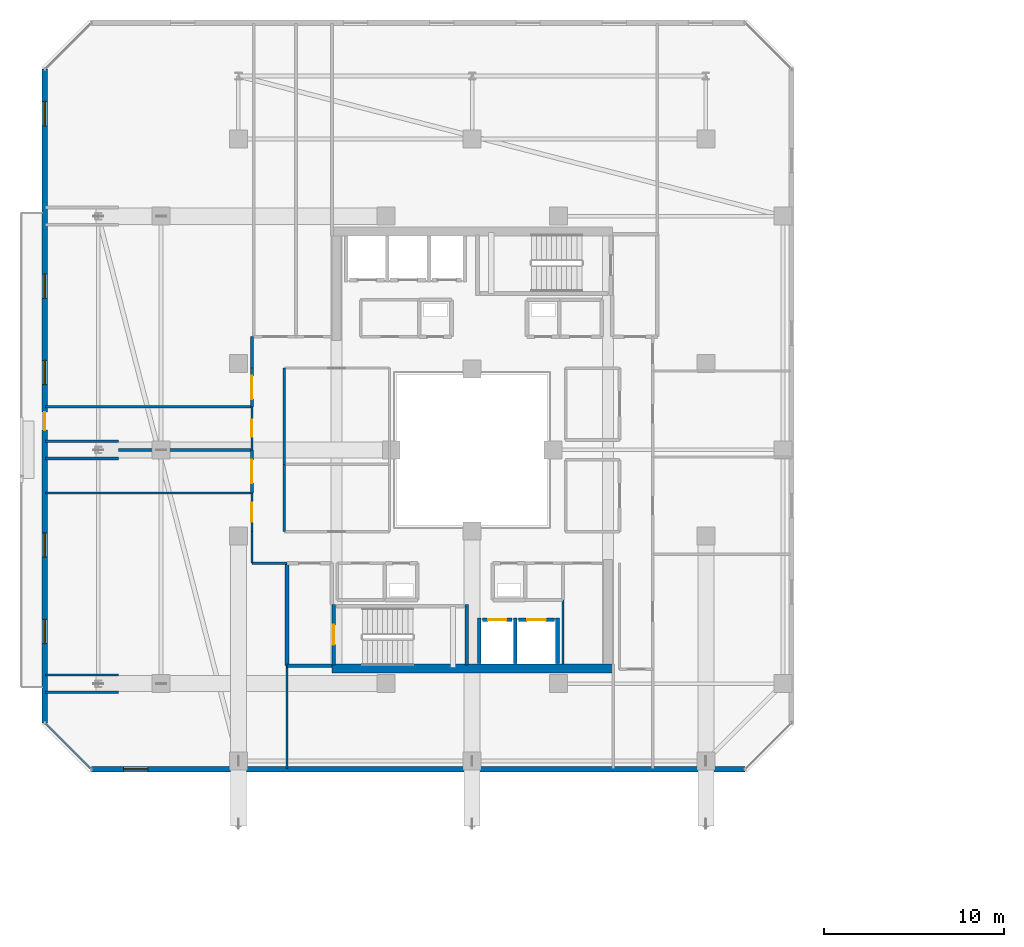
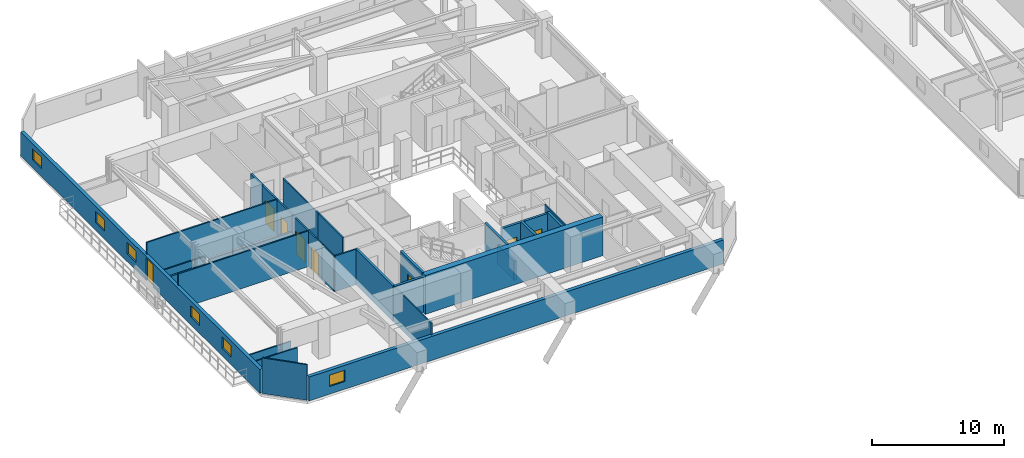
# One storey, part 21 of 35: 31 walls, 8 doors, 6 windows, 14 openings.
"""IFC4 building model written with IfcOpenShell, lengths in metres."""

from ifc_helpers import new_model, si_unit, direction, frame, frame_2d, origin, place, context, subcontext, project, spatial, rectangle, extrude, material, layer, layer_set, type_object, element, fill, save


model = new_model("IFC4")

# Units and contexts
model_context = context("Model", 3, precision=1e-05, world=origin(), true_north=direction((0.0, 1.0)))
body_context = subcontext(model_context, "Body", "Model", "MODEL_VIEW")
ifc_project = project(units=[si_unit("LENGTHUNIT", "METRE"), si_unit("AREAUNIT", "SQUARE_METRE"), si_unit("VOLUMEUNIT", "CUBIC_METRE"), si_unit("PLANEANGLEUNIT", "RADIAN"), si_unit("MASSUNIT", "GRAM", prefix="KILO")], contexts=[model_context])

# Site, building, storey
site_placement = place(None, origin())
site = spatial("IfcSite", under=ifc_project, at=site_placement, CompositionType="ELEMENT")
building_placement = place(site_placement, origin())
building = spatial("IfcBuilding", under=site, at=building_placement, Name="Thornwick Lancets Civic Towers", CompositionType="ELEMENT")
storey_placement = place(building_placement, frame((0.0, 0.0, 225.89990234375)))
storey = spatial("IfcBuildingStorey", under=building, at=storey_placement, Name="L60", CompositionType="ELEMENT", Elevation=225.89990234375)

# Wall, opening, door
ifc_material_1 = material(Name="Concrete blockwork C40/50", Category="masonry")
ifc_layer_1 = layer(ifc_material_1, 0.199951171875, Name="Concrete blockwork C40/50")
ifc_layer_set_1 = layer_set([ifc_layer_1], Name="Concrete blockwork C40/50")
wall_type_1 = type_object("IfcWallType", Name="WALL_COMP_200", PredefinedType="STANDARD", material=ifc_layer_set_1)
wall_1_placement = place(storey_placement, frame((26.080078125, 17.550048828125, 0.0), z_axis=(0.0, 0.0, 1.0), x_axis=(1.0, 0.0, 0.0)))
wall_1 = element("IfcWall", 1, at=wall_1_placement, inside=storey, type_object=wall_type_1, Name="L60 Hoistway Front Wall FL-A1", PredefinedType="STANDARD", context=body_context, shape_type="SweptSolid", body=[
    extrude(rectangle(XDim=1.639892578125, YDim=0.199951171875, at=frame_2d((0.81982421875, 0.0))), origin(), (0.0, 0.0, 1.0), 3.300048828125),
])
opening_1_placement = place(wall_1_placement, frame((0.31005859375, 0.0, 0.0)))
opening_1 = element("IfcOpeningElement", 2, at=opening_1_placement, cuts=wall_1, Name="Opening LD-FL-A1", PredefinedType="OPENING", context=body_context, shape_type="SweptSolid", body=[
    extrude(rectangle(XDim=1.02001953125, YDim=2.06005859375, at=frame_2d((0.510009765625, 1.030029296875))), frame((0.0, 0.10986328125, 0.0), z_axis=(0.0, -1.0, 0.0), x_axis=(1.0, 0.0, 0.0)), (0.0, 0.0, 1.0), 0.219970703125),
])
ifc_material_2 = material(Name="Brushed bronze stainless steel", Category="steel")
door_type_1 = type_object("IfcDoorType", Name="DOOR_LIFT_SLIDE", OperationType="SLIDING_TO_LEFT", PredefinedType="DOOR", material=ifc_material_2)
door_1_placement = place(opening_1_placement, origin())
door_1 = element("IfcDoor", 3, at=door_1_placement, inside=storey, type_object=door_type_1, Name="L60 Sliding Lift Landing Door LD-FL-A1", OperationType="SLIDING_TO_LEFT", OverallHeight=2.06005859375, OverallWidth=1.02001953125, PredefinedType="DOOR", context=body_context, shape_type="SweptSolid", body=[
    extrude(rectangle(XDim=1.02001953125, YDim=2.06005859375, at=frame_2d((0.510009765625, 1.030029296875))), frame((0.0, 0.02490234375, 0.0), z_axis=(0.0, -1.0, 0.0), x_axis=(1.0, 0.0, 0.0)), (0.0, 0.0, 1.0), 0.050048828125),
])
fill(opening_1, door_1)

wall_2_placement = place(storey_placement, frame((28.080078125, 17.550048828125, 0.0), z_axis=(0.0, 0.0, 1.0), x_axis=(1.0, 0.0, 0.0)))
wall_2 = element("IfcWall", 4, at=wall_2_placement, inside=storey, type_object=wall_type_1, Name="L60 Hoistway Front Wall PL-AH1", PredefinedType="STANDARD", context=body_context, shape_type="SweptSolid", body=[
    extrude(rectangle(XDim=1.989990234375, YDim=0.199951171875, at=frame_2d((0.9951171875, 0.0))), origin(), (0.0, 0.0, 1.0), 3.300048828125),
])
opening_2_placement = place(wall_2_placement, frame((0.485107421875, 0.0, 0.0)))
opening_2 = element("IfcOpeningElement", 5, at=opening_2_placement, cuts=wall_2, Name="Opening LD-PL-AH1", PredefinedType="OPENING", context=body_context, shape_type="SweptSolid", body=[
    extrude(rectangle(XDim=1.02001953125, YDim=2.06005859375, at=frame_2d((0.510009765625, 1.030029296875))), frame((0.0, 0.10986328125, 0.0), z_axis=(0.0, -1.0, 0.0), x_axis=(1.0, 0.0, 0.0)), (0.0, 0.0, 1.0), 0.219970703125),
])
door_2_placement = place(opening_2_placement, origin())
door_2 = element("IfcDoor", 6, at=door_2_placement, inside=storey, type_object=door_type_1, Name="L60 Sliding Lift Landing Door LD-PL-AH1", OperationType="SLIDING_TO_LEFT", OverallHeight=2.06005859375, OverallWidth=1.02001953125, PredefinedType="DOOR", context=body_context, shape_type="SweptSolid", body=[
    extrude(rectangle(XDim=1.02001953125, YDim=2.06005859375, at=frame_2d((0.510009765625, 1.030029296875))), frame((0.0, 0.02490234375, 0.0), z_axis=(0.0, -1.0, 0.0), x_axis=(1.0, 0.0, 0.0)), (0.0, 0.0, 1.0), 0.050048828125),
])
fill(opening_2, door_2)

# Walls
wall_3_placement = place(storey_placement, frame((27.89990234375, 15.112060546875, 0.0), z_axis=(0.0, 0.0, 1.0), x_axis=(0.0, 1.0, 0.0)))
element("IfcWall", 7, at=wall_3_placement, inside=storey, type_object=wall_type_1, Name="L60 Hoistway Shaft Wall FL-A1 E", PredefinedType="STANDARD", context=body_context, shape_type="SweptSolid", body=[
    extrude(rectangle(XDim=2.535888671875, YDim=0.199951171875, at=frame_2d((1.26806640625, 0.0))), origin(), (0.0, 0.0, 1.0), 3.300048828125),
])
wall_4_placement = place(storey_placement, frame((25.89990234375, 15.112060546875, 0.0), z_axis=(0.0, 0.0, 1.0), x_axis=(0.0, 1.0, 0.0)))
element("IfcWall", 8, at=wall_4_placement, inside=storey, type_object=wall_type_1, Name="L60 Hoistway Shaft Wall FL-A1 W", PredefinedType="STANDARD", context=body_context, shape_type="SweptSolid", body=[
    extrude(rectangle(XDim=2.535888671875, YDim=0.199951171875, at=frame_2d((1.26806640625, 0.0))), origin(), (0.0, 0.0, 1.0), 1.78515625),
])
wall_5_placement = place(storey_placement, frame((30.25, 15.112060546875, 0.0), z_axis=(0.0, 0.0, 1.0), x_axis=(0.0, 1.0, 0.0)))
element("IfcWall", 9, at=wall_5_placement, inside=storey, type_object=wall_type_1, Name="L60 Hoistway Shaft Wall PL-AH1 E", PredefinedType="STANDARD", context=body_context, shape_type="SweptSolid", body=[
    extrude(rectangle(XDim=2.535888671875, YDim=0.199951171875, at=frame_2d((1.26806640625, 0.0))), origin(), (0.0, 0.0, 1.0), 3.300048828125),
])
wall_6_placement = place(storey_placement, frame((15.199951171875, 15.0, 0.0), z_axis=(0.0, 0.0, 1.0), x_axis=(1.0, 0.0, 0.0)))
element("IfcWall", 10, at=wall_6_placement, inside=storey, type_object=wall_type_1, Name="L60 Partition L60-A-FFLOB1 E1", PredefinedType="STANDARD", context=body_context, shape_type="SweptSolid", body=[
    extrude(rectangle(XDim=2.5, YDim=0.199951171875, at=frame_2d((1.25, 0.0))), origin(), (0.0, 0.0, 1.0), 3.300048828125),
])
wall_7_placement = place(storey_placement, frame((15.199951171875, 20.699951171875, 0.0), z_axis=(0.0, 0.0, 1.0), x_axis=(0.0, -1.0, 0.0)))
element("IfcWall", 11, at=wall_7_placement, inside=storey, type_object=wall_type_1, Name="L60 Partition L60-A-FFLOB1 E4", PredefinedType="STANDARD", context=body_context, shape_type="SweptSolid", body=[
    extrude(rectangle(XDim=5.699951171875, YDim=0.199951171875, at=frame_2d((2.85009765625, 0.0))), origin(), (0.0, 0.0, 1.0), 3.300048828125),
])
ifc_material_3 = material(Name="Concrete C50/60", Category="concrete")
ifc_layer_2 = layer(ifc_material_3, 0.5, Name="Concrete C50/60")
ifc_layer_set_2 = layer_set([ifc_layer_2], Name="Concrete C50/60")
wall_type_2 = type_object("IfcWallType", Name="WALL_CORE_500", PredefinedType="SHEAR", material=ifc_layer_set_2)
wall_8_placement = place(storey_placement, frame((17.699951171875, 14.85009765625, 0.0), z_axis=(0.0, 0.0, 1.0), x_axis=(1.0, 0.0, 0.0)))
element("IfcWall", 12, at=wall_8_placement, inside=storey, type_object=wall_type_2, Name="L60 Split Core A1 Shear Wall S", PredefinedType="SHEAR", context=body_context, shape_type="SweptSolid", body=[
    extrude(rectangle(XDim=15.60009765625, YDim=0.5, at=frame_2d((7.800048828125, 0.0))), origin(), (0.0, 0.0, 1.0), 3.60009765625),
])

# Wall, opening, window
ifc_material_4 = material(Name="Insulated russet terracotta rainscreen on concrete C40/50", Category="masonry")
ifc_layer_3 = layer(ifc_material_4, 0.300048828125, Name="Insulated russet terracotta rainscreen on concrete C40/50")
ifc_layer_set_3 = layer_set([ifc_layer_3], Name="Insulated russet terracotta rainscreen on concrete C40/50")
wall_type_3 = type_object("IfcWallType", Name="WALL_EXT_RUSSET_300", PredefinedType="STANDARD", material=ifc_layer_set_3)
wall_9_placement = place(storey_placement, frame((4.318603515625, 9.2353515625, 0.0), z_axis=(0.0, 0.0, 1.0), x_axis=(1.0, 0.0, 0.0)))
wall_9 = element("IfcWall", 13, at=wall_9_placement, inside=storey, type_object=wall_type_3, Name="L60 Tower A Terracotta Facade Wall E0", PredefinedType="STANDARD", context=body_context, shape_type="SweptSolid", body=[
    extrude(rectangle(XDim=36.36279296875, YDim=0.300048828125, at=frame_2d((18.181396484375, 0.0))), origin(), (0.0, 0.0, 1.0), 2.22021484375),
])
opening_3_placement = place(wall_9_placement, frame((1.800048828125, 0.0, 0.719970703125)))
opening_3 = element("IfcOpeningElement", 14, at=opening_3_placement, cuts=wall_9, Name="Opening WL-03", PredefinedType="OPENING", context=body_context, shape_type="SweptSolid", body=[
    extrude(rectangle(XDim=1.35009765625, YDim=1.050048828125, at=frame_2d((0.675048828125, 0.52490234375))), frame((0.0, 0.16015625, 0.0), z_axis=(0.0, -1.0, 0.0), x_axis=(1.0, 0.0, 0.0)), (0.0, 0.0, 1.0), 0.320068359375),
])
ifc_material_5 = material(Name="Clear low-e double glazing clerestory lancet", Category="glass")
window_type = type_object("IfcWindowType", Name="WIN_LANCET_1350", PartitioningType="SINGLE_PANEL", PredefinedType="WINDOW", material=ifc_material_5)
window_1_placement = place(opening_3_placement, origin())
window_1 = element("IfcWindow", 15, at=window_1_placement, inside=storey, type_object=window_type, Name="L60 Tower A Staggered Lancet Window E0-1", OverallHeight=1.050048828125, OverallWidth=1.35009765625, PartitioningType="SINGLE_PANEL", PredefinedType="WINDOW", context=body_context, shape_type="SweptSolid", body=[
    extrude(rectangle(XDim=1.35009765625, YDim=1.050048828125, at=frame_2d((0.675048828125, 0.52490234375))), frame((0.0, 0.030029296875, 0.0), z_axis=(0.0, -1.0, 0.0), x_axis=(1.0, 0.0, 0.0)), (0.0, 0.0, 1.0), 0.06005859375),
])
fill(opening_3, window_1)

# Wall, openings, door, windows
wall_10_placement = place(storey_placement, frame((1.7353515625, 48.181396484375, 0.0), z_axis=(0.0, 0.0, 1.0), x_axis=(0.0, -1.0, 0.0)))
wall_10 = element("IfcWall", 16, at=wall_10_placement, inside=storey, type_object=wall_type_3, Name="L60 Tower A Terracotta Facade Wall E6", PredefinedType="STANDARD", context=body_context, shape_type="SweptSolid", body=[
    extrude(rectangle(XDim=36.36279296875, YDim=0.300048828125, at=frame_2d((18.181396484375, 0.0))), origin(), (0.0, 0.0, 1.0), 2.22021484375),
])
opening_4_placement = place(wall_10_placement, frame((19.081298828125, 0.0, 0.0)))
opening_4 = element("IfcOpeningElement", 17, at=opening_4_placement, cuts=wall_10, Name="Opening D-BL-L60-AW", PredefinedType="OPENING", context=body_context, shape_type="SweptSolid", body=[
    extrude(rectangle(XDim=1.0, YDim=2.080078125, at=frame_2d((0.5, 1.0400390625))), frame((0.0, 0.16015625, 0.0), z_axis=(0.0, -1.0, 0.0), x_axis=(1.0, 0.0, 0.0)), (0.0, 0.0, 1.0), 0.320068359375),
])
opening_5_placement = place(wall_10_placement, frame((1.800048828125, 0.0, 0.719970703125)))
opening_5 = element("IfcOpeningElement", 18, at=opening_5_placement, cuts=wall_10, Name="Opening WL-03", PredefinedType="OPENING", context=body_context, shape_type="SweptSolid", body=[
    extrude(rectangle(XDim=1.35009765625, YDim=1.050048828125, at=frame_2d((0.675048828125, 0.52490234375))), frame((0.0, 0.16015625, 0.0), z_axis=(0.0, -1.0, 0.0), x_axis=(1.0, 0.0, 0.0)), (0.0, 0.0, 1.0), 0.320068359375),
])
opening_6_placement = place(wall_10_placement, frame((11.39990234375, 0.0, 0.719970703125)))
opening_6 = element("IfcOpeningElement", 19, at=opening_6_placement, cuts=wall_10, Name="Opening WL-03", PredefinedType="OPENING", context=body_context, shape_type="SweptSolid", body=[
    extrude(rectangle(XDim=1.35009765625, YDim=1.050048828125, at=frame_2d((0.675048828125, 0.52490234375))), frame((0.0, 0.16015625, 0.0), z_axis=(0.0, -1.0, 0.0), x_axis=(1.0, 0.0, 0.0)), (0.0, 0.0, 1.0), 0.320068359375),
])
opening_7_placement = place(wall_10_placement, frame((16.199951171875, 0.0, 0.719970703125)))
opening_7 = element("IfcOpeningElement", 20, at=opening_7_placement, cuts=wall_10, Name="Opening WL-03", PredefinedType="OPENING", context=body_context, shape_type="SweptSolid", body=[
    extrude(rectangle(XDim=1.35009765625, YDim=1.050048828125, at=frame_2d((0.675048828125, 0.52490234375))), frame((0.0, 0.16015625, 0.0), z_axis=(0.0, -1.0, 0.0), x_axis=(1.0, 0.0, 0.0)), (0.0, 0.0, 1.0), 0.320068359375),
])
opening_8_placement = place(wall_10_placement, frame((25.800048828125, 0.0, 0.719970703125)))
opening_8 = element("IfcOpeningElement", 21, at=opening_8_placement, cuts=wall_10, Name="Opening WL-03", PredefinedType="OPENING", context=body_context, shape_type="SweptSolid", body=[
    extrude(rectangle(XDim=1.35009765625, YDim=1.050048828125, at=frame_2d((0.675048828125, 0.52490234375))), frame((0.0, 0.16015625, 0.0), z_axis=(0.0, -1.0, 0.0), x_axis=(1.0, 0.0, 0.0)), (0.0, 0.0, 1.0), 0.320068359375),
])
opening_9_placement = place(wall_10_placement, frame((30.60009765625, 0.0, 0.719970703125)))
opening_9 = element("IfcOpeningElement", 22, at=opening_9_placement, cuts=wall_10, Name="Opening WL-03", PredefinedType="OPENING", context=body_context, shape_type="SweptSolid", body=[
    extrude(rectangle(XDim=1.35009765625, YDim=1.050048828125, at=frame_2d((0.675048828125, 0.52490234375))), frame((0.0, 0.16015625, 0.0), z_axis=(0.0, -1.0, 0.0), x_axis=(1.0, 0.0, 0.0)), (0.0, 0.0, 1.0), 0.320068359375),
])
ifc_material_6 = material(Name="Thermally broken glazed loggia doorset")
door_type_2 = type_object("IfcDoorType", Name="DOOR_BALC_1000", OperationType="NOTDEFINED", PredefinedType="DOOR", material=ifc_material_6)
door_3_placement = place(opening_4_placement, origin())
door_3 = element("IfcDoor", 23, at=door_3_placement, inside=storey, type_object=door_type_2, Name="L60 Tower A Loggia Balcony Door W", OperationType="SINGLE_SWING_LEFT", OverallHeight=2.080078125, OverallWidth=1.0, PredefinedType="DOOR", context=body_context, shape_type="SweptSolid", body=[
    extrude(rectangle(XDim=1.0, YDim=2.080078125, at=frame_2d((0.5, 1.0400390625))), frame((0.0, 0.02490234375, 0.0), z_axis=(0.0, -1.0, 0.0), x_axis=(1.0, 0.0, 0.0)), (0.0, 0.0, 1.0), 0.050048828125),
])
fill(opening_4, door_3)
window_2_placement = place(opening_5_placement, origin())
window_2 = element("IfcWindow", 24, at=window_2_placement, inside=storey, type_object=window_type, Name="L60 Tower A Staggered Lancet Window E6-1", OverallHeight=1.050048828125, OverallWidth=1.35009765625, PartitioningType="SINGLE_PANEL", PredefinedType="WINDOW", context=body_context, shape_type="SweptSolid", body=[
    extrude(rectangle(XDim=1.35009765625, YDim=1.050048828125, at=frame_2d((0.675048828125, 0.52490234375))), frame((0.0, 0.030029296875, 0.0), z_axis=(0.0, -1.0, 0.0), x_axis=(1.0, 0.0, 0.0)), (0.0, 0.0, 1.0), 0.06005859375),
])
fill(opening_5, window_2)
window_3_placement = place(opening_6_placement, origin())
window_3 = element("IfcWindow", 25, at=window_3_placement, inside=storey, type_object=window_type, Name="L60 Tower A Staggered Lancet Window E6-2", OverallHeight=1.050048828125, OverallWidth=1.35009765625, PartitioningType="SINGLE_PANEL", PredefinedType="WINDOW", context=body_context, shape_type="SweptSolid", body=[
    extrude(rectangle(XDim=1.35009765625, YDim=1.050048828125, at=frame_2d((0.675048828125, 0.52490234375))), frame((0.0, 0.030029296875, 0.0), z_axis=(0.0, -1.0, 0.0), x_axis=(1.0, 0.0, 0.0)), (0.0, 0.0, 1.0), 0.06005859375),
])
fill(opening_6, window_3)
window_4_placement = place(opening_7_placement, origin())
window_4 = element("IfcWindow", 26, at=window_4_placement, inside=storey, type_object=window_type, Name="L60 Tower A Staggered Lancet Window E6-3", OverallHeight=1.050048828125, OverallWidth=1.35009765625, PartitioningType="SINGLE_PANEL", PredefinedType="WINDOW", context=body_context, shape_type="SweptSolid", body=[
    extrude(rectangle(XDim=1.35009765625, YDim=1.050048828125, at=frame_2d((0.675048828125, 0.52490234375))), frame((0.0, 0.030029296875, 0.0), z_axis=(0.0, -1.0, 0.0), x_axis=(1.0, 0.0, 0.0)), (0.0, 0.0, 1.0), 0.06005859375),
])
fill(opening_7, window_4)
window_5_placement = place(opening_8_placement, origin())
window_5 = element("IfcWindow", 27, at=window_5_placement, inside=storey, type_object=window_type, Name="L60 Tower A Staggered Lancet Window E6-4", OverallHeight=1.050048828125, OverallWidth=1.35009765625, PartitioningType="SINGLE_PANEL", PredefinedType="WINDOW", context=body_context, shape_type="SweptSolid", body=[
    extrude(rectangle(XDim=1.35009765625, YDim=1.050048828125, at=frame_2d((0.675048828125, 0.52490234375))), frame((0.0, 0.030029296875, 0.0), z_axis=(0.0, -1.0, 0.0), x_axis=(1.0, 0.0, 0.0)), (0.0, 0.0, 1.0), 0.06005859375),
])
fill(opening_8, window_5)
window_6_placement = place(opening_9_placement, origin())
window_6 = element("IfcWindow", 28, at=window_6_placement, inside=storey, type_object=window_type, Name="L60 Tower A Staggered Lancet Window E6-5", OverallHeight=1.050048828125, OverallWidth=1.35009765625, PartitioningType="SINGLE_PANEL", PredefinedType="WINDOW", context=body_context, shape_type="SweptSolid", body=[
    extrude(rectangle(XDim=1.35009765625, YDim=1.050048828125, at=frame_2d((0.675048828125, 0.52490234375))), frame((0.0, 0.030029296875, 0.0), z_axis=(0.0, -1.0, 0.0), x_axis=(1.0, 0.0, 0.0)), (0.0, 0.0, 1.0), 0.06005859375),
])
fill(opening_9, window_6)

# Walls
ifc_material_7 = material(Name="Lightweight cellular office partition")
ifc_layer_4 = layer(ifc_material_7, 0.10009765625, Name="Lightweight cellular office partition")
ifc_layer_set_4 = layer_set([ifc_layer_4], Name="Lightweight cellular office partition")
wall_type_4 = type_object("IfcWallType", Name="WALL_PART_100", PredefinedType="PARTITIONING", material=ifc_layer_set_4)
wall_11_placement = place(storey_placement, frame((30.550048828125, 15.10009765625, 0.0), z_axis=(0.0, 0.0, 1.0), x_axis=(0.0, 1.0, 0.0)))
element("IfcWall", 29, at=wall_11_placement, inside=storey, type_object=wall_type_4, Name="L60 Partition L60-A-CLN E3", PredefinedType="PARTITIONING", context=body_context, shape_type="SweptSolid", body=[
    extrude(rectangle(XDim=3.5498046875, YDim=0.10009765625, at=frame_2d((1.77490234375, 0.0))), origin(), (0.0, 0.0, 1.0), 3.300048828125),
])
ifc_material_8 = material(Name="Acoustic gypsum board partition")
ifc_layer_5 = layer(ifc_material_8, 0.1201171875, Name="Acoustic gypsum board partition")
ifc_layer_set_5 = layer_set([ifc_layer_5], Name="Acoustic gypsum board partition")
wall_type_5 = type_object("IfcWallType", Name="WALL_PART_120", PredefinedType="PARTITIONING", material=ifc_layer_set_5)
for number, where, z_axis, x_axis, name in (
    (30, (1.780029296875, 13.52001953125, 0.0), (0.0, 0.0, 1.0), (1.0, 0.0, 0.0), "L60 Partition L60-A-W1 E2"),
    (31, (5.82861328125, 14.47998046875, 0.0), (0.0, 0.0, 1.0), (-1.0, 0.0, 0.0), "L60 Partition L60-A-W1 E4"),
):
    element("IfcWall", number, at=place(storey_placement, frame(where, z_axis=z_axis, x_axis=x_axis)), inside=storey, type_object=wall_type_5, Name=name, PredefinedType="PARTITIONING", context=body_context, shape_type="SweptSolid", body=[
        extrude(rectangle(XDim=4.048583984375, YDim=0.1201171875, at=frame_2d((2.0244140625, 0.0))), origin(), (0.0, 0.0, 1.0), 1.78515625),
    ])
wall_12_placement = place(storey_placement, frame((1.780029296875, 24.60009765625, 0.0), z_axis=(0.0, 0.0, 1.0), x_axis=(1.0, 0.0, 0.0)))
element("IfcWall", 32, at=wall_12_placement, inside=storey, type_object=wall_type_5, Name="L60 Partition L60-A-W1 E6", PredefinedType="PARTITIONING", context=body_context, shape_type="SweptSolid", body=[
    extrude(rectangle(XDim=11.469970703125, YDim=0.1201171875, at=frame_2d((5.73486328125, 0.0))), origin(), (0.0, 0.0, 1.0), 3.300048828125),
])

# Wall, opening, door
wall_13_placement = place(storey_placement, frame((13.25, 24.60009765625, 0.0), z_axis=(0.0, 0.0, 1.0), x_axis=(0.0, -1.0, 0.0)))
wall_13 = element("IfcWall", 33, at=wall_13_placement, inside=storey, type_object=wall_type_5, Name="L60 Partition L60-A-W1 E7", PredefinedType="PARTITIONING", context=body_context, shape_type="SweptSolid", body=[
    extrude(rectangle(XDim=2.150146484375, YDim=0.1201171875, at=frame_2d((1.0751953125, 0.0))), origin(), (0.0, 0.0, 1.0), 3.300048828125),
])
opening_10_placement = place(wall_13_placement, frame((0.550048828125, 0.0, 0.0)))
opening_10 = element("IfcOpeningElement", 34, at=opening_10_placement, cuts=wall_13, Name="Opening D-L60-2706", PredefinedType="OPENING", context=body_context, shape_type="SweptSolid", body=[
    extrude(rectangle(XDim=1.050048828125, YDim=2.10009765625, at=frame_2d((0.52490234375, 1.050048828125))), frame((0.0, 0.070068359375, 0.0), z_axis=(0.0, -1.0, 0.0), x_axis=(1.0, 0.0, 0.0)), (0.0, 0.0, 1.0), 0.14013671875),
])
ifc_material_9 = material(Name="Glazed European oak executive doorset")
door_type_3 = type_object("IfcDoorType", Name="DOOR_OFFICE_1050", OperationType="NOTDEFINED", PredefinedType="DOOR", material=ifc_material_9)
door_4_placement = place(opening_10_placement, origin())
door_4 = element("IfcDoor", 35, at=door_4_placement, inside=storey, type_object=door_type_3, Name="L60 Tower A Ministry Directorate Office W1 Door", OperationType="SINGLE_SWING_LEFT", OverallHeight=2.10009765625, OverallWidth=1.050048828125, PredefinedType="DOOR", context=body_context, shape_type="SweptSolid", body=[
    extrude(rectangle(XDim=1.050048828125, YDim=2.10009765625, at=frame_2d((0.52490234375, 1.050048828125))), frame((0.0, 0.02490234375, 0.0), z_axis=(0.0, -1.0, 0.0), x_axis=(1.0, 0.0, 0.0)), (0.0, 0.0, 1.0), 0.050048828125),
])
fill(opening_10, door_4)

# Walls
wall_14_placement = place(storey_placement, frame((13.25, 22.449951171875, 0.0), z_axis=(0.0, 0.0, 1.0), x_axis=(0.0, -1.0, 0.0)))
element("IfcWall", 36, at=wall_14_placement, inside=storey, type_object=wall_type_5, Name="L60 Partition L60-A-W1 E8", PredefinedType="PARTITIONING", context=body_context, shape_type="SweptSolid", body=[
    extrude(rectangle(XDim=1.75, YDim=0.1201171875, at=frame_2d((0.875, 0.0))), origin(), (0.0, 0.0, 1.0), 3.300048828125),
])
wall_15_placement = place(storey_placement, frame((13.25, 20.699951171875, 0.0), z_axis=(0.0, 0.0, 1.0), x_axis=(1.0, 0.0, 0.0)))
element("IfcWall", 37, at=wall_15_placement, inside=storey, type_object=wall_type_5, Name="L60 Partition L60-A-W1 E9", PredefinedType="PARTITIONING", context=body_context, shape_type="SweptSolid", body=[
    extrude(rectangle(XDim=1.949951171875, YDim=0.1201171875, at=frame_2d((0.97509765625, 0.0))), origin(), (0.0, 0.0, 1.0), 3.300048828125),
])
wall_16_placement = place(storey_placement, frame((15.199951171875, 15.0, 0.0), z_axis=(0.0, 0.0, 1.0), x_axis=(0.0, -1.0, 0.0)))
element("IfcWall", 38, at=wall_16_placement, inside=storey, type_object=wall_type_5, Name="L60 Partition L60-A-W1 E11", PredefinedType="PARTITIONING", context=body_context, shape_type="SweptSolid", body=[
    extrude(rectangle(XDim=5.719970703125, YDim=0.1201171875, at=frame_2d((2.85986328125, 0.0))), origin(), (0.0, 0.0, 1.0), 3.300048828125),
])
wall_17_placement = place(storey_placement, frame((4.274658203125, 9.280029296875, 0.0), z_axis=(0.0, 0.0, 1.0), x_axis=(-0.707106781187, 0.707106781187, 0.0)))
element("IfcWall", 39, at=wall_17_placement, inside=storey, type_object=wall_type_5, Name="L60 Partition L60-A-W1 E13", PredefinedType="PARTITIONING", context=body_context, shape_type="SweptSolid", body=[
    extrude(rectangle(XDim=3.52783203125, YDim=0.1201171875, at=frame_2d((1.763916015625, 0.0))), origin(), (0.0, 0.0, 1.0), 3.300048828125),
])
wall_18_placement = place(storey_placement, frame((5.82861328125, 27.47998046875, 0.0), z_axis=(0.0, 0.0, 1.0), x_axis=(-1.0, 0.0, 0.0)))
element("IfcWall", 40, at=wall_18_placement, inside=storey, type_object=wall_type_5, Name="L60 Partition L60-A-W2B E3", PredefinedType="PARTITIONING", context=body_context, shape_type="SweptSolid", body=[
    extrude(rectangle(XDim=4.048583984375, YDim=0.1201171875, at=frame_2d((2.0244140625, 0.0))), origin(), (0.0, 0.0, 1.0), 1.78515625),
])
wall_19_placement = place(storey_placement, frame((1.780029296875, 29.39990234375, 0.0), z_axis=(0.0, 0.0, 1.0), x_axis=(1.0, 0.0, 0.0)))
element("IfcWall", 41, at=wall_19_placement, inside=storey, type_object=wall_type_5, Name="L60 Partition L60-A-W2B E5", PredefinedType="PARTITIONING", context=body_context, shape_type="SweptSolid", body=[
    extrude(rectangle(XDim=11.469970703125, YDim=0.1201171875, at=frame_2d((5.73486328125, 0.0))), origin(), (0.0, 0.0, 1.0), 3.300048828125),
])

# Wall, opening, door
wall_20_placement = place(storey_placement, frame((13.25, 29.39990234375, 0.0), z_axis=(0.0, 0.0, 1.0), x_axis=(0.0, -1.0, 0.0)))
wall_20 = element("IfcWall", 42, at=wall_20_placement, inside=storey, type_object=wall_type_5, Name="L60 Partition L60-A-W2B E6", PredefinedType="PARTITIONING", context=body_context, shape_type="SweptSolid", body=[
    extrude(rectangle(XDim=2.39990234375, YDim=0.1201171875, at=frame_2d((1.199951171875, 0.0))), origin(), (0.0, 0.0, 1.0), 3.300048828125),
])
opening_11_placement = place(wall_20_placement, frame((0.72509765625, 0.0, 0.0)))
opening_11 = element("IfcOpeningElement", 43, at=opening_11_placement, cuts=wall_20, Name="Opening D-L60-2708", PredefinedType="OPENING", context=body_context, shape_type="SweptSolid", body=[
    extrude(rectangle(XDim=0.949951171875, YDim=2.10009765625, at=frame_2d((0.47509765625, 1.050048828125))), frame((0.0, 0.070068359375, 0.0), z_axis=(0.0, -1.0, 0.0), x_axis=(1.0, 0.0, 0.0)), (0.0, 0.0, 1.0), 0.14013671875),
])
ifc_material_10 = material(Name="European oak acoustic doorset")
door_type_4 = type_object("IfcDoorType", Name="DOOR_OFFICE_950", OperationType="NOTDEFINED", PredefinedType="DOOR", material=ifc_material_10)
door_5_placement = place(opening_11_placement, origin())
door_5 = element("IfcDoor", 44, at=door_5_placement, inside=storey, type_object=door_type_4, Name="L60 Tower A Senior Counsel Office W2B Door", OperationType="SINGLE_SWING_LEFT", OverallHeight=2.10009765625, OverallWidth=0.949951171875, PredefinedType="DOOR", context=body_context, shape_type="SweptSolid", body=[
    extrude(rectangle(XDim=0.949951171875, YDim=2.10009765625, at=frame_2d((0.47509765625, 1.050048828125))), frame((0.0, 0.02490234375, 0.0), z_axis=(0.0, -1.0, 0.0), x_axis=(1.0, 0.0, 0.0)), (0.0, 0.0, 1.0), 0.050048828125),
])
fill(opening_11, door_5)

# Walls
wall_21_placement = place(storey_placement, frame((15.050048828125, 22.449951171875, 0.0), z_axis=(0.0, 0.0, 1.0), x_axis=(0.0, 1.0, 0.0)))
element("IfcWall", 45, at=wall_21_placement, inside=storey, type_object=wall_type_5, Name="L60 Partition L60-A-W3 E1", PredefinedType="PARTITIONING", context=body_context, shape_type="SweptSolid", body=[
    extrude(rectangle(XDim=3.75, YDim=0.1201171875, at=frame_2d((1.875, 0.0))), origin(), (0.0, 0.0, 1.0), 3.300048828125),
])
wall_22_placement = place(storey_placement, frame((15.050048828125, 26.199951171875, 0.0), z_axis=(0.0, 0.0, 1.0), x_axis=(0.0, 1.0, 0.0)))
element("IfcWall", 46, at=wall_22_placement, inside=storey, type_object=wall_type_5, Name="L60 Partition L60-A-W4 E1", PredefinedType="PARTITIONING", context=body_context, shape_type="SweptSolid", body=[
    extrude(rectangle(XDim=5.35009765625, YDim=0.1201171875, at=frame_2d((2.675048828125, 0.0))), origin(), (0.0, 0.0, 1.0), 3.300048828125),
])
ifc_material_11 = material(Name="Twin-stud acoustic gypsum board")
ifc_layer_6 = layer(ifc_material_11, 0.14990234375, Name="Twin-stud acoustic gypsum board")
ifc_layer_set_6 = layer_set([ifc_layer_6], Name="Twin-stud acoustic gypsum board")
wall_type_6 = type_object("IfcWallType", Name="WALL_PART_150", PredefinedType="PARTITIONING", material=ifc_layer_set_6)
wall_23_placement = place(storey_placement, frame((1.780029296875, 26.52001953125, 0.0), z_axis=(0.0, 0.0, 1.0), x_axis=(1.0, 0.0, 0.0)))
element("IfcWall", 47, at=wall_23_placement, inside=storey, type_object=wall_type_6, Name="L60 Partition L60-A-W2 E3", PredefinedType="PARTITIONING", context=body_context, shape_type="SweptSolid", body=[
    extrude(rectangle(XDim=4.048583984375, YDim=0.14990234375, at=frame_2d((2.0244140625, 0.0))), origin(), (0.0, 0.0, 1.0), 1.78515625),
])
wall_24_placement = place(storey_placement, frame((5.82861328125, 27.0, 0.0), z_axis=(0.0, 0.0, 1.0), x_axis=(1.0, 0.0, 0.0)))
element("IfcWall", 48, at=wall_24_placement, inside=storey, type_object=wall_type_6, Name="L60 Partition L60-A-W2 E5", PredefinedType="PARTITIONING", context=body_context, shape_type="SweptSolid", body=[
    extrude(rectangle(XDim=7.42138671875, YDim=0.14990234375, at=frame_2d((3.710693359375, 0.0))), origin(), (0.0, 0.0, 1.0), 1.78515625),
])

# Wall, opening, door
wall_25_placement = place(storey_placement, frame((13.25, 27.0, 0.0), z_axis=(0.0, 0.0, 1.0), x_axis=(0.0, -1.0, 0.0)))
wall_25 = element("IfcWall", 49, at=wall_25_placement, inside=storey, type_object=wall_type_6, Name="L60 Partition L60-A-W2 E6", PredefinedType="PARTITIONING", context=body_context, shape_type="SweptSolid", body=[
    extrude(rectangle(XDim=2.39990234375, YDim=0.14990234375, at=frame_2d((1.199951171875, 0.0))), origin(), (0.0, 0.0, 1.0), 3.300048828125),
])
opening_12_placement = place(wall_25_placement, frame((0.550048828125, 0.0, 0.0)))
opening_12 = element("IfcOpeningElement", 50, at=opening_12_placement, cuts=wall_25, Name="Opening D-L60-2707", PredefinedType="OPENING", context=body_context, shape_type="SweptSolid", body=[
    extrude(rectangle(XDim=1.300048828125, YDim=2.1201171875, at=frame_2d((0.64990234375, 1.06005859375))), frame((0.0, 0.0849609375, 0.0), z_axis=(0.0, -1.0, 0.0), x_axis=(1.0, 0.0, 0.0)), (0.0, 0.0, 1.0), 0.169921875),
])
ifc_material_12 = material(Name="Acoustic oak leaf-and-a-half doorset")
door_type_5 = type_object("IfcDoorType", Name="DOOR_MEET_1300", OperationType="DOUBLE_DOOR_SINGLE_SWING", PredefinedType="DOOR", material=ifc_material_12)
door_6_placement = place(opening_12_placement, origin())
door_6 = element("IfcDoor", 51, at=door_6_placement, inside=storey, type_object=door_type_5, Name="L60 Tower A Policy Briefing Room W2 Door", OperationType="DOUBLE_DOOR_SINGLE_SWING", OverallHeight=2.1201171875, OverallWidth=1.300048828125, PredefinedType="DOOR", context=body_context, shape_type="SweptSolid", body=[
    extrude(rectangle(XDim=1.300048828125, YDim=2.1201171875, at=frame_2d((0.64990234375, 1.06005859375))), frame((0.0, 0.02490234375, 0.0), z_axis=(0.0, -1.0, 0.0), x_axis=(1.0, 0.0, 0.0)), (0.0, 0.0, 1.0), 0.050048828125),
])
fill(opening_12, door_6)

# Wall
wall_26_placement = place(storey_placement, frame((13.25, 33.300048828125, 0.0), z_axis=(0.0, 0.0, 1.0), x_axis=(0.0, -1.0, 0.0)))
element("IfcWall", 52, at=wall_26_placement, inside=storey, type_object=wall_type_6, Name="L60 Partition L60-A-W2C E9", PredefinedType="PARTITIONING", context=body_context, shape_type="SweptSolid", body=[
    extrude(rectangle(XDim=1.75, YDim=0.14990234375, at=frame_2d((0.875, 0.0))), origin(), (0.0, 0.0, 1.0), 3.300048828125),
])

# Wall, opening, door
wall_27_placement = place(storey_placement, frame((13.25, 31.550048828125, 0.0), z_axis=(0.0, 0.0, 1.0), x_axis=(0.0, -1.0, 0.0)))
wall_27 = element("IfcWall", 53, at=wall_27_placement, inside=storey, type_object=wall_type_6, Name="L60 Partition L60-A-W2C E10", PredefinedType="PARTITIONING", context=body_context, shape_type="SweptSolid", body=[
    extrude(rectangle(XDim=2.150146484375, YDim=0.14990234375, at=frame_2d((1.0751953125, 0.0))), origin(), (0.0, 0.0, 1.0), 3.300048828125),
])
opening_13_placement = place(wall_27_placement, frame((0.425048828125, 0.0, 0.0)))
opening_13 = element("IfcOpeningElement", 54, at=opening_13_placement, cuts=wall_27, Name="Opening D-L60-2709", PredefinedType="OPENING", context=body_context, shape_type="SweptSolid", body=[
    extrude(rectangle(XDim=1.300048828125, YDim=2.1201171875, at=frame_2d((0.64990234375, 1.06005859375))), frame((0.0, 0.0849609375, 0.0), z_axis=(0.0, -1.0, 0.0), x_axis=(1.0, 0.0, 0.0)), (0.0, 0.0, 1.0), 0.169921875),
])
door_7_placement = place(opening_13_placement, origin())
door_7 = element("IfcDoor", 55, at=door_7_placement, inside=storey, type_object=door_type_5, Name="L60 Tower A Statutory Hearing Room W2C Door", OperationType="DOUBLE_DOOR_SINGLE_SWING", OverallHeight=2.1201171875, OverallWidth=1.300048828125, PredefinedType="DOOR", context=body_context, shape_type="SweptSolid", body=[
    extrude(rectangle(XDim=1.300048828125, YDim=2.1201171875, at=frame_2d((0.64990234375, 1.06005859375))), frame((0.0, 0.02490234375, 0.0), z_axis=(0.0, -1.0, 0.0), x_axis=(1.0, 0.0, 0.0)), (0.0, 0.0, 1.0), 0.050048828125),
])
fill(opening_13, door_7)

ifc_material_13 = material(Name="Concrete C40/50", Category="concrete")
ifc_layer_7 = layer(ifc_material_13, 0.199951171875, Name="Concrete C40/50")
ifc_layer_set_7 = layer_set([ifc_layer_7], Name="Concrete C40/50")
wall_type_7 = type_object("IfcWallType", Name="WALL_SHAFT_200", PredefinedType="SHEAR", material=ifc_layer_set_7)
wall_28_placement = place(storey_placement, frame((17.800048828125, 15.050048828125, 0.0), z_axis=(0.0, 0.0, 1.0), x_axis=(0.0, 1.0, 0.0)))
wall_28 = element("IfcWall", 56, at=wall_28_placement, inside=storey, type_object=wall_type_7, Name="L60 ST-A1 Fire Stair Core Wall NEAR", PredefinedType="SHEAR", context=body_context, shape_type="SweptSolid", body=[
    extrude(rectangle(XDim=3.349853515625, YDim=0.199951171875, at=frame_2d((1.6748046875, 0.0))), origin(), (0.0, 0.0, 1.0), 3.60009765625),
])
opening_14_placement = place(wall_28_placement, frame((1.125, 0.0, 0.0)))
opening_14 = element("IfcOpeningElement", 57, at=opening_14_placement, cuts=wall_28, Name="Opening D-ST-A1-L60", PredefinedType="OPENING", context=body_context, shape_type="SweptSolid", body=[
    extrude(rectangle(XDim=1.10009765625, YDim=2.10009765625, at=frame_2d((0.550048828125, 1.050048828125))), frame((0.0, 0.10986328125, 0.0), z_axis=(0.0, -1.0, 0.0), x_axis=(1.0, 0.0, 0.0)), (0.0, 0.0, 1.0), 0.219970703125),
])
ifc_material_14 = material(Name="Fire-resisting steel and hardwood", Category="steel")
door_type_6 = type_object("IfcDoorType", Name="DOOR_STAIR_FD60", OperationType="NOTDEFINED", PredefinedType="DOOR", material=ifc_material_14)
door_8_placement = place(opening_14_placement, origin())
door_8 = element("IfcDoor", 58, at=door_8_placement, inside=storey, type_object=door_type_6, Name="L60 ST-A1 Exit Stair Door", OperationType="SINGLE_SWING_RIGHT", OverallHeight=2.10009765625, OverallWidth=1.10009765625, PredefinedType="DOOR", context=body_context, shape_type="SweptSolid", body=[
    extrude(rectangle(XDim=1.10009765625, YDim=2.10009765625, at=frame_2d((0.550048828125, 1.050048828125))), frame((0.0, 0.02490234375, 0.0), z_axis=(0.0, -1.0, 0.0), x_axis=(1.0, 0.0, 0.0)), (0.0, 0.0, 1.0), 0.050048828125),
])
fill(opening_14, door_8)

# Wall
wall_29_placement = place(storey_placement, frame((25.199951171875, 18.39990234375, 0.0), z_axis=(0.0, 0.0, 1.0), x_axis=(0.0, -1.0, 0.0)))
element("IfcWall", 59, at=wall_29_placement, inside=storey, type_object=wall_type_7, Name="L60 ST-A1 Fire Stair Core Wall FAR", PredefinedType="SHEAR", context=body_context, shape_type="SweptSolid", body=[
    extrude(rectangle(XDim=3.349853515625, YDim=0.199951171875, at=frame_2d((1.6748046875, 0.0))), origin(), (0.0, 0.0, 1.0), 3.60009765625),
])

save(model, "model.ifc")
